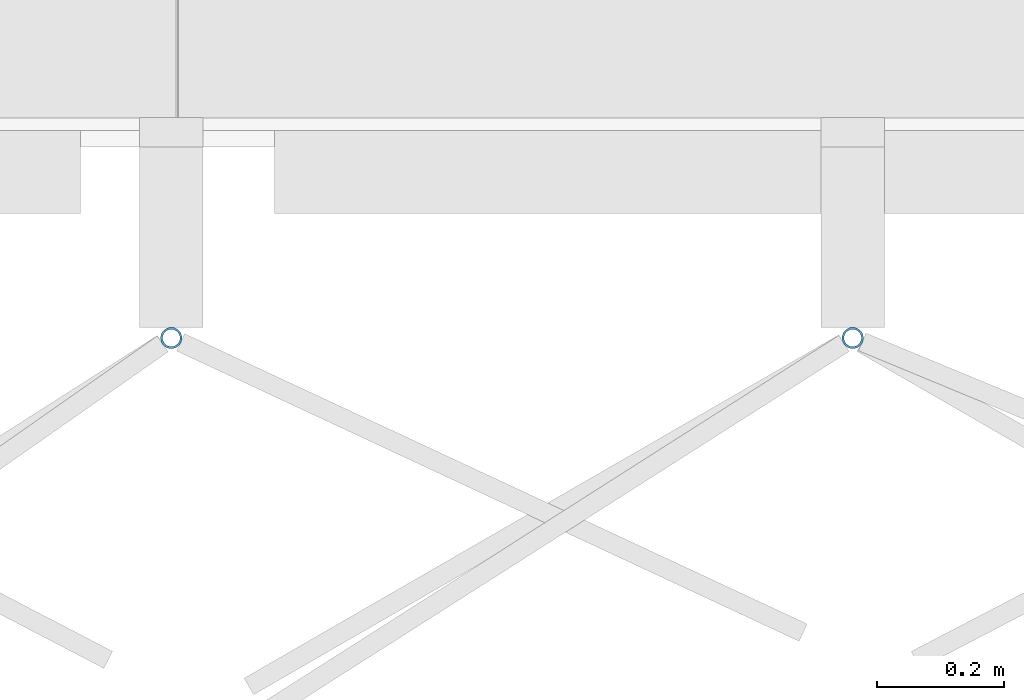
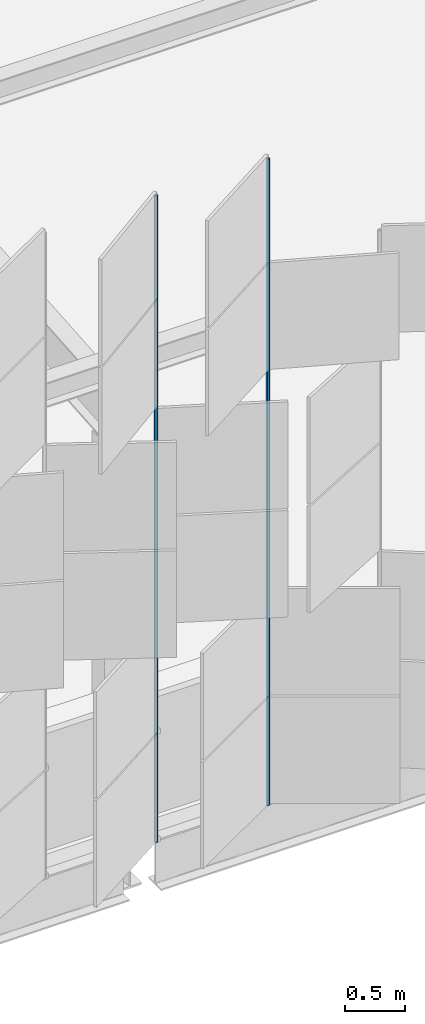
# One storey, part 149 of 483: 2 discrete accessories.
"""IFC4 building model written with IfcOpenShell, lengths in metres."""

from ifc_helpers import new_model, si_unit, direction, frame, origin, origin_2d, place, context, subcontext, project, spatial, hollow_circle, extrude, material, material_profile, profile_set, type_object, element, save


model = new_model("IFC4")

# Units and contexts
model_context = context("Model", 3, precision=1e-05, world=origin(), true_north=direction((0.0, 1.0)))
body_context = subcontext(model_context, "Body", "Model", "MODEL_VIEW")
ifc_project = project(units=[si_unit("LENGTHUNIT", "METRE"), si_unit("AREAUNIT", "SQUARE_METRE"), si_unit("VOLUMEUNIT", "CUBIC_METRE"), si_unit("PLANEANGLEUNIT", "RADIAN"), si_unit("MASSUNIT", "GRAM", prefix="KILO")], contexts=[model_context])

# Site, building, storey
site_placement = place(None, origin())
site = spatial("IfcSite", under=ifc_project, at=site_placement, CompositionType="ELEMENT")
building_placement = place(site_placement, origin())
building = spatial("IfcBuilding", under=site, at=building_placement, Name="Parallax Yard Mobility Hub", CompositionType="ELEMENT")
storey_placement = place(building_placement, frame((0.0, 0.0, 13.199951171875)))
storey = spatial("IfcBuildingStorey", under=building, at=storey_placement, Name="L04", CompositionType="ELEMENT", Elevation=13.199951171875)

# Discrete accessories
ifc_material = material(Name="Steel ASTM A500 Gr C, hot-dip galvanised", Category="steel")
ifc_material_profile = material_profile(ifc_material, hollow_circle(Radius=0.016845703125, WallThickness=0.003173828125, at=origin_2d()), Name="CHS 33.7x3.2")
ifc_profile_set = profile_set([ifc_material_profile], Name="Steel ASTM A500 Gr C, hot-dip galvanised")
discrete_accessory_type = type_object("IfcDiscreteAccessoryType", Name="Hinge post CHS 33.7x3.2", PredefinedType="BRACKET", material=ifc_profile_set)
for number, where, z_axis, x_axis, name in (
    (1, (104.990478515625, 112.199951171875, 0.0), (0.0, 0.0, 1.0), (1.0, 0.0, 0.0), "Hinge post bay 10.1 level L04"),
    (2, (106.06201171875, 112.199951171875, 0.0), (0.0, 0.0, 1.0), (1.0, 0.0, 0.0), "Hinge post bay 10.2 level L04"),
):
    element("IfcDiscreteAccessory", number, at=place(storey_placement, frame(where, z_axis=z_axis, x_axis=x_axis)), inside=storey, type_object=discrete_accessory_type, Name=name, PredefinedType="BRACKET", context=body_context, shape_type="SweptSolid", body=[
        extrude(hollow_circle(Radius=0.016845703125, WallThickness=0.003173828125, at=origin_2d()), origin(), (0.0, 0.0, 1.0), 6.550048828125),
    ])

save(model, "model.ifc")
